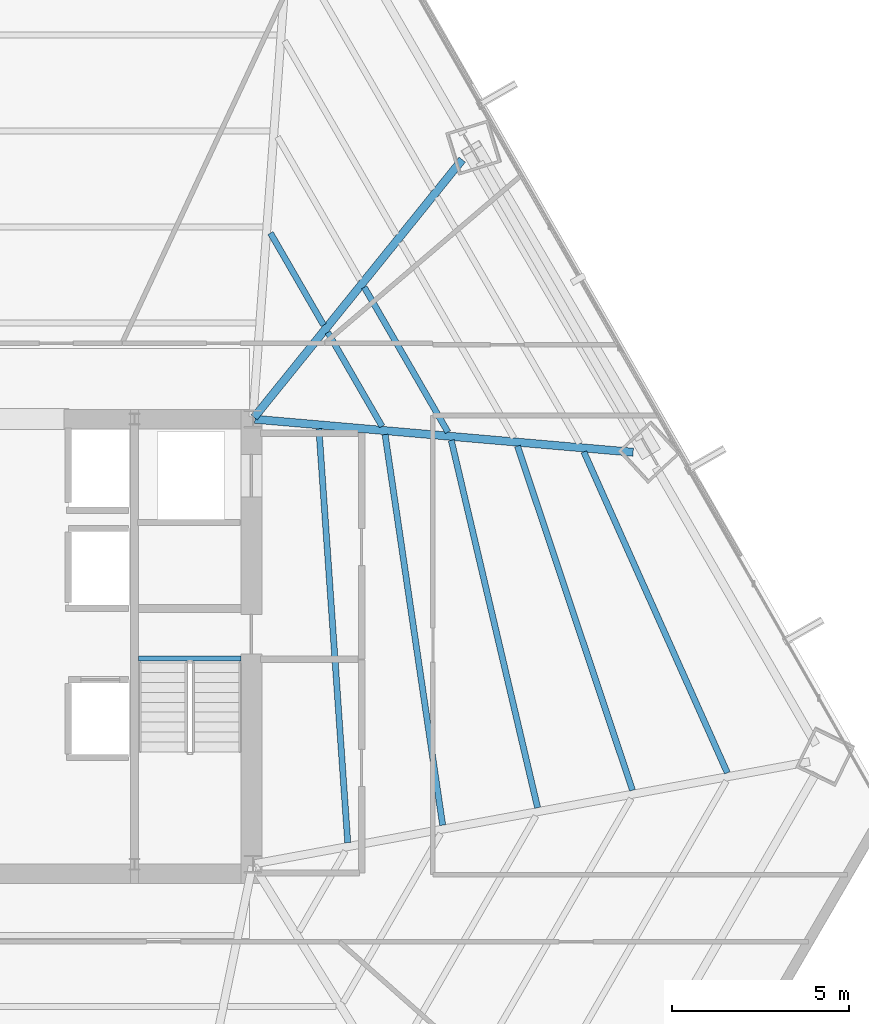
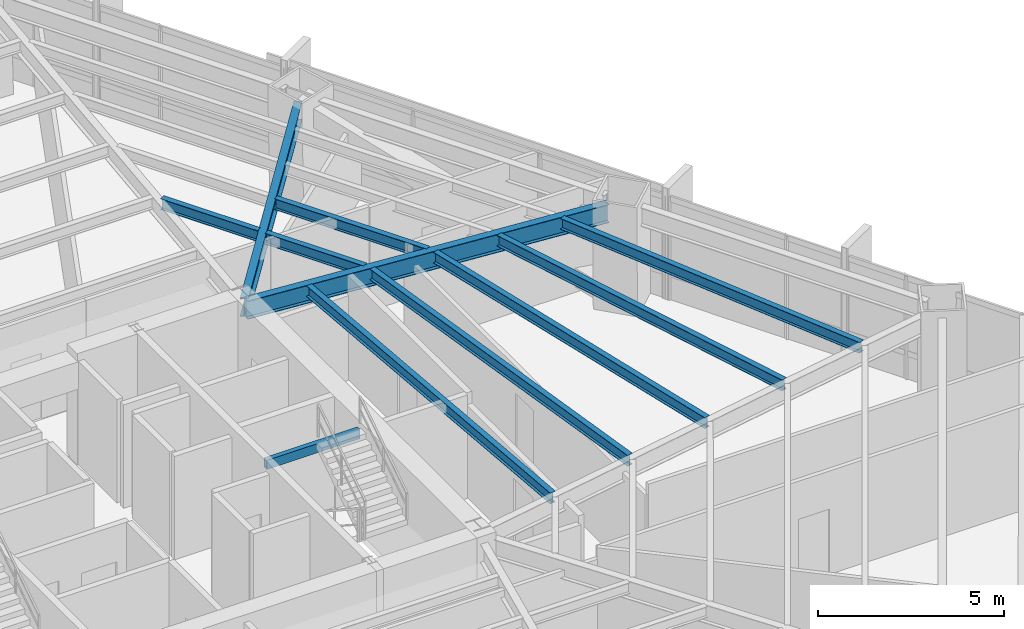
# One storey, part 20 of 34: 11 beams.
"""IFC4 building model written with IfcOpenShell, lengths in metres."""

import ifcopenshell
import ifcopenshell.guid

model = None  # the IFC model being written
_history = None  # IfcOwnerHistory: only IFC2X3 demands one
_inside = {}  # id of a spatial element -> (the spatial element, [elements in it])
_under = {}  # id of a project, library or spatial element -> (it, [spatial elements below it])
_declared = {}  # id of a project -> (the project, [libraries it declares])
_typed = {}  # id of a type object -> (the type object, [elements of that type])
_made_of = {}  # id of a material, layer set ... -> (it, [elements and type objects made of it])


def new_model(schema):
    """Start an empty IFC model of exactly this schema.

    Asked for "IFC4X3", IfcOpenShell would pick the latest addendum, in which some entities
    have other attributes; the version numbers below select the first issue.
    IFC2X3 requires an IfcOwnerHistory on every rooted entity: one is made here for all.
    """
    global model, _history
    if schema == "IFC4X3":
        model = ifcopenshell.file(schema_version=(4, 3, 0, 0))
    else:
        model = ifcopenshell.file(schema=schema)
    _inside.clear()
    _under.clear()
    _declared.clear()
    _typed.clear()
    _made_of.clear()
    _history = None
    if model.schema == "IFC2X3":
        org = make("IfcOrganization", Name="unknown")
        user = make(
            "IfcPersonAndOrganization",
            ThePerson=make("IfcPerson", FamilyName="unknown"),
            TheOrganization=org,
        )
        app = make(
            "IfcApplication",
            ApplicationDeveloper=org,
            Version="unknown",
            ApplicationFullName="unknown",
            ApplicationIdentifier="unknown",
        )
        _history = make(
            "IfcOwnerHistory",
            OwningUser=user,
            OwningApplication=app,
            ChangeAction="ADDED",
            CreationDate=0,
        )
    return model


def make(cls, **values):
    """One entity of the class cls with the attributes given. An attribute that is None is left unset."""
    return model.create_entity(
        cls, **{name: value for name, value in values.items() if value is not None}
    )


def rooted(cls, **values):
    """An entity with a GlobalId (a new one), such as an element, a storey or a relation."""
    return make(cls, GlobalId=ifcopenshell.guid.new(), OwnerHistory=_history, **values)


def si_unit(unit_type, name, prefix=None):
    """IfcSIUnit, for example si_unit("LENGTHUNIT", "METRE", prefix="MILLI")."""
    return make("IfcSIUnit", UnitType=unit_type, Prefix=prefix, Name=name)


def assignment(units):
    """IfcUnitAssignment: the units of a project."""
    return None if units is None else make("IfcUnitAssignment", Units=units)


def point(xyz):
    """IfcCartesianPoint."""
    return None if xyz is None else make("IfcCartesianPoint", Coordinates=xyz)


def direction(xyz):
    """IfcDirection."""
    return None if xyz is None else make("IfcDirection", DirectionRatios=xyz)


def frame(location, z_axis=None, x_axis=None):
    """IfcAxis2Placement3D, a coordinate frame: its origin and axes. An axis left out is left unset."""
    return make(
        "IfcAxis2Placement3D",
        Location=point(location),
        Axis=direction(z_axis),
        RefDirection=direction(x_axis),
    )


def frame_2d(location, x_axis=None):
    """IfcAxis2Placement2D, a coordinate frame in the plane: its origin and x axis."""
    return make(
        "IfcAxis2Placement2D", Location=point(location), RefDirection=direction(x_axis)
    )


def origin():
    """The frame at (0, 0, 0) with its axes left unset."""
    return frame((0.0, 0.0, 0.0))


def origin_2d():
    """The frame at (0, 0) in the plane with its x axis left unset."""
    return frame_2d((0.0, 0.0))


def place(relative_to, where):
    """IfcLocalPlacement: puts the frame where relative to a parent placement (None: the world)."""
    return make(
        "IfcLocalPlacement", PlacementRelTo=relative_to, RelativePlacement=where
    )


def context(
    kind, dimensions, precision=None, world=None, true_north=None, identifier=None
):
    """IfcGeometricRepresentationContext, for example the 3D "Model" context."""
    return make(
        "IfcGeometricRepresentationContext",
        ContextIdentifier=identifier,
        ContextType=kind,
        CoordinateSpaceDimension=dimensions,
        Precision=precision,
        WorldCoordinateSystem=world,
        TrueNorth=true_north,
    )


def subcontext(parent, identifier, kind, view, scale=None):
    """IfcGeometricRepresentationSubContext, for example "Body" below "Model"."""
    return make(
        "IfcGeometricRepresentationSubContext",
        ContextIdentifier=identifier,
        ContextType=kind,
        ParentContext=parent,
        TargetScale=scale,
        TargetView=view,
    )


def project(units=None, contexts=None):
    """IfcProject with its units and contexts."""
    return rooted(
        "IfcProject",
        Name="project",
        RepresentationContexts=contexts,
        UnitsInContext=assignment(units),
    )


def spatial(cls, under=None, at=None, **own):
    """A site, building, storey or space (cls), placed at a placement, below another one or the project."""
    s = rooted(cls, ObjectPlacement=at, **own)
    if under is not None:
        _under.setdefault(under.id(), (under, []))[1].append(s)
    return s


def profile(cls, at=None, kind="AREA", **sizes):
    """A parametric profile (cls). Its sizes go by their IFC names, for example OverallWidth=200.0."""
    return make(cls, ProfileType=kind, Position=at, **sizes)


def hollow_rectangle(**sizes):
    """IfcRectangleHollowProfileDef."""
    return profile("IfcRectangleHollowProfileDef", **sizes)


def i_section(**sizes):
    """IfcIShapeProfileDef."""
    return profile("IfcIShapeProfileDef", **sizes)


def extrude(swept, where, along, depth):
    """IfcExtrudedAreaSolid: the profile swept, set in the frame where, extruded along a direction by depth."""
    return make(
        "IfcExtrudedAreaSolid",
        SweptArea=swept,
        Position=where,
        ExtrudedDirection=direction(along),
        Depth=depth,
    )


def shape(context_of_items, identifier, shape_type, items):
    """IfcShapeRepresentation: the items that make up one representation, for example the "Body"."""
    return make(
        "IfcShapeRepresentation",
        ContextOfItems=context_of_items,
        RepresentationIdentifier=identifier,
        RepresentationType=shape_type,
        Items=items,
    )


def source(mapping_origin, context_of_items, identifier, shape_type, items):
    """IfcRepresentationMap: a shape defined once, which mapped items show again and again."""
    return make(
        "IfcRepresentationMap",
        MappingOrigin=mapping_origin,
        MappedRepresentation=shape(context_of_items, identifier, shape_type, items),
    )


def transform(
    local_origin,
    x_axis=None,
    y_axis=None,
    z_axis=None,
    scale=None,
    scale2=None,
    scale3=None,
    uniform=True,
):
    """IfcCartesianTransformationOperator3D, or its non-uniform kind. x_axis, y_axis, z_axis: its Axis1, 2, 3."""
    if uniform:
        return make(
            "IfcCartesianTransformationOperator3D",
            Axis1=direction(x_axis),
            Axis2=direction(y_axis),
            LocalOrigin=point(local_origin),
            Scale=scale,
            Axis3=direction(z_axis),
        )
    return make(
        "IfcCartesianTransformationOperator3DnonUniform",
        Axis1=direction(x_axis),
        Axis2=direction(y_axis),
        LocalOrigin=point(local_origin),
        Scale=scale,
        Axis3=direction(z_axis),
        Scale2=scale2,
        Scale3=scale3,
    )


def mapped(mapping_source, mapping_target):
    """IfcMappedItem: shows the shape of a source again, moved by a transform."""
    return make(
        "IfcMappedItem", MappingSource=mapping_source, MappingTarget=mapping_target
    )


def material(Name=None, Category=None):
    """IfcMaterial."""
    return make("IfcMaterial", Name=Name, Category=Category)


def material_profile(
    of_material, cross_section, Name=None, Category=None, Priority=None
):
    """IfcMaterialProfile: a cross section and its material."""
    return make(
        "IfcMaterialProfile",
        Name=Name,
        Material=of_material,
        Profile=cross_section,
        Priority=Priority,
        Category=Category,
    )


def profile_set(profiles, Name=None, composite=None):
    """IfcMaterialProfileSet."""
    return make(
        "IfcMaterialProfileSet",
        Name=Name,
        MaterialProfiles=profiles,
        CompositeProfile=composite,
    )


def made_of(thing, what):
    """Note that an element or type object is made of a material, layer set ...; save() writes the relation."""
    if what is not None:
        _made_of.setdefault(what.id(), (what, []))[1].append(thing)
    return thing


def type_object(cls, material=None, **own):
    """A type object (cls), such as IfcWallType, which elements share."""
    return made_of(rooted(cls, **own), material)


def type_shapes(of_type, sources):
    """Give a type object the sources (RepresentationMaps) that its elements show as mapped items."""
    of_type.RepresentationMaps = sources


def element(
    cls,
    number,
    at=None,
    inside=None,
    cuts=None,
    type_object=None,
    material=None,
    context=None,
    identifier="Body",
    shape_type=None,
    held_by="IfcProductDefinitionShape",
    body=None,
    shapes=None,
    **own,
):
    """One element of the class cls, such as IfcWall. Its Tag is "e" and its number.

    at: its placement. inside: the storey or other place that contains it. cuts: it is an
    opening in that element (IfcRelVoidsElement). A single representation is given by context,
    identifier, shape_type and body (its items); several are given by shapes. held_by: the class
    of the entity that holds the representations. save() writes the other relations.
    """
    e = rooted(cls, Tag="e%d" % number, ObjectPlacement=at, **own)
    if body is not None:
        shapes = [shape(context, identifier, shape_type, body)]
    if shapes is not None:
        e.Representation = make(held_by, Representations=shapes)
    if inside is not None:
        _inside.setdefault(inside.id(), (inside, []))[1].append(e)
    if cuts is not None:
        rooted(
            "IfcRelVoidsElement", RelatingBuildingElement=cuts, RelatedOpeningElement=e
        )
    if type_object is not None:
        _typed.setdefault(type_object.id(), (type_object, []))[1].append(e)
    return made_of(e, material)


def aggregate(whole, parts):
    """IfcRelAggregates: a whole, such as a stair, and the parts it consists of."""
    return rooted("IfcRelAggregates", RelatingObject=whole, RelatedObjects=parts)


def save(model, path):
    """Write the relations noted so far, then the file.

    IfcRelAggregates (storeys below a building ...), IfcRelContainedInSpatialStructure (elements
    in a storey), IfcRelDefinesByType, IfcRelAssociatesMaterial and IfcRelDeclares: one each for
    every whole, place, type object, material and project.
    """
    for whole, parts in _under.values():
        aggregate(whole, parts)
    for where, things in _inside.values():
        rooted(
            "IfcRelContainedInSpatialStructure",
            RelatedElements=things,
            RelatingStructure=where,
        )
    for kind, things in _typed.values():
        rooted("IfcRelDefinesByType", RelatedObjects=things, RelatingType=kind)
    for what, things in _made_of.values():
        rooted("IfcRelAssociatesMaterial", RelatedObjects=things, RelatingMaterial=what)
    for by, libraries in _declared.values():
        rooted("IfcRelDeclares", RelatingContext=by, RelatedDefinitions=libraries)
    model.write(path)


model = new_model("IFC4")

# Units and contexts
model_context = context("Model", 3, precision=1e-05, world=origin(), true_north=direction((0.0, 1.0)))
body_context = subcontext(model_context, "Body", "Model", "MODEL_VIEW")
ifc_project = project(units=[si_unit("LENGTHUNIT", "METRE"), si_unit("AREAUNIT", "SQUARE_METRE"), si_unit("VOLUMEUNIT", "CUBIC_METRE"), si_unit("PLANEANGLEUNIT", "RADIAN"), si_unit("MASSUNIT", "GRAM", prefix="KILO")], contexts=[model_context])

# Site, building, storey
site_placement = place(None, origin())
site = spatial("IfcSite", under=ifc_project, at=site_placement, CompositionType="ELEMENT")
building_placement = place(site_placement, origin())
building = spatial("IfcBuilding", under=site, at=building_placement, Name="Caelisora Broadcast Tower", CompositionType="ELEMENT")
storey_placement = place(building_placement, frame((0.0, 0.0, 49.5)))
storey = spatial("IfcBuildingStorey", under=building, at=storey_placement, Name="L12", CompositionType="ELEMENT", Elevation=49.5)

# Beams
ifc_material_1 = material(Name="Steel Grade 350 (AS/NZS 1163 C350L0)", Category="steel")
ifc_material_profile_1 = material_profile(ifc_material_1, hollow_rectangle(XDim=0.14990234375, YDim=0.300048828125, WallThickness=0.010009765625, at=origin_2d()), Name="Steel Grade 350 (AS/NZS 1163 C350L0)")
ifc_profile_set_1 = profile_set([ifc_material_profile_1], Name="Steel Grade 350 (AS/NZS 1163 C350L0)")
beam_type_1 = type_object("IfcBeamType", Name="SB05", PredefinedType="JOIST", material=ifc_profile_set_1)
shared_shape_1 = source(origin(), body_context, "Body", "SweptSolid", [
    extrude(hollow_rectangle(XDim=0.14990234375, YDim=0.300048828125, WallThickness=0.010009765625, at=origin_2d()), origin(), (0.0, 0.0, 1.0), 2.89990234375),
])
type_shapes(beam_type_1, [shared_shape_1])
beam_1_placement = place(storey_placement, frame((42.260009765625, 23.219970703125, 3.25), z_axis=(1.0, 0.0, 0.0), x_axis=(0.0, 1.0, 0.0)))
element("IfcBeam", 1, at=beam_1_placement, inside=storey, type_object=beam_type_1, Name="L12 beam SB05", PredefinedType="JOIST", context=body_context, shape_type="MappedRepresentation", body=[
    mapped(shared_shape_1, transform((0.0, 0.0, 0.0), scale=1.0)),
])
ifc_material_2 = material(Name="Steel Grade 350 (AS/NZS 3679.1)", Category="steel")
ifc_material_profile_2 = material_profile(ifc_material_2, i_section(OverallWidth=0.22802734375, OverallDepth=0.602294921875, WebThickness=0.010498046875, FlangeThickness=0.014892578125, at=origin_2d()), Name="Steel Grade 350 (AS/NZS 3679.1)")
ifc_profile_set_2 = profile_set([ifc_material_profile_2], Name="Steel Grade 350 (AS/NZS 3679.1)")
beam_type_2 = type_object("IfcBeamType", Name="PG04", PredefinedType="BEAM", material=ifc_profile_set_2)
shared_shape_2 = source(origin(), body_context, "Body", "SweptSolid", [
    extrude(i_section(OverallWidth=0.22802734375, OverallDepth=0.602294921875, WebThickness=0.010498046875, FlangeThickness=0.014892578125, at=origin_2d()), origin(), (0.0, 0.0, 1.0), 9.378662109375),
])
beam_2_placement = place(storey_placement, frame((45.53759765625, 30.046630859375, 3.098876953125), z_axis=(0.628221973632, 0.778034158534, 0.0), x_axis=(-0.778034158534, 0.628221973632, 0.0)))
element("IfcBeam", 2, at=beam_2_placement, inside=storey, type_object=beam_type_2, Name="L12 beam PG04", PredefinedType="BEAM", context=body_context, shape_type="MappedRepresentation", body=[
    mapped(shared_shape_2, transform((0.0, 0.0, 0.0), scale=1.0)),
])
shared_shape_3 = source(origin(), body_context, "Body", "SweptSolid", [
    extrude(i_section(OverallWidth=0.22802734375, OverallDepth=0.602294921875, WebThickness=0.010498046875, FlangeThickness=0.014892578125, at=origin_2d()), origin(), (0.0, 0.0, 1.0), 10.748046875),
])
type_shapes(beam_type_2, [shared_shape_2, shared_shape_3])
beam_3_placement = place(storey_placement, frame((45.559814453125, 29.994873046875, 3.098876953125), z_axis=(0.996210440362, -0.086975620224, 0.0), x_axis=(0.086975620224, 0.996210440362, 0.0)))
element("IfcBeam", 3, at=beam_3_placement, inside=storey, type_object=beam_type_2, Name="L12 beam PG04", PredefinedType="BEAM", context=body_context, shape_type="MappedRepresentation", body=[
    mapped(shared_shape_3, transform((0.0, 0.0, 0.0), scale=1.0)),
])
ifc_material_profile_3 = material_profile(ifc_material_2, i_section(OverallWidth=0.172119140625, OverallDepth=0.358642578125, WebThickness=0.008056640625, FlangeThickness=0.012939453125, at=origin_2d()), Name="Steel Grade 350 (AS/NZS 3679.1)")
ifc_profile_set_3 = profile_set([ifc_material_profile_3], Name="Steel Grade 350 (AS/NZS 3679.1)")
beam_type_3 = type_object("IfcBeamType", Name="SB02", PredefinedType="JOIST", material=ifc_profile_set_3)
shared_shape_4 = source(origin(), body_context, "Body", "SweptSolid", [
    extrude(i_section(OverallWidth=0.172119140625, OverallDepth=0.358642578125, WebThickness=0.008056640625, FlangeThickness=0.012939453125, at=origin_2d()), origin(), (0.0, 0.0, 1.0), 3.00927734375),
])
beam_4_placement = place(storey_placement, frame((47.5048828125, 32.659912109375, 3.220703125), z_axis=(-0.499986971506, 0.866032925658, 0.0), x_axis=(-0.866032925658, -0.499986971506, 0.0)))
element("IfcBeam", 4, at=beam_4_placement, inside=storey, type_object=beam_type_3, Name="L12 beam SB02", PredefinedType="JOIST", context=body_context, shape_type="MappedRepresentation", body=[
    mapped(shared_shape_4, transform((0.0, 0.0, 0.0), scale=1.0)),
])
shared_shape_5 = source(origin(), body_context, "Body", "SweptSolid", [
    extrude(i_section(OverallWidth=0.172119140625, OverallDepth=0.358642578125, WebThickness=0.008056640625, FlangeThickness=0.012939453125, at=origin_2d()), origin(), (0.0, 0.0, 1.0), 3.07275390625),
])
beam_5_placement = place(storey_placement, frame((49.160400390625, 29.79248046875, 3.220703125), z_axis=(-0.499992972383, 0.866029461143, 0.0), x_axis=(-0.866029461143, -0.499992972383, 0.0)))
element("IfcBeam", 5, at=beam_5_placement, inside=storey, type_object=beam_type_3, Name="L12 beam SB02", PredefinedType="JOIST", context=body_context, shape_type="MappedRepresentation", body=[
    mapped(shared_shape_5, transform((0.0, 0.0, 0.0), scale=1.0)),
])
shared_shape_6 = source(origin(), body_context, "Body", "SweptSolid", [
    extrude(i_section(OverallWidth=0.172119140625, OverallDepth=0.358642578125, WebThickness=0.008056640625, FlangeThickness=0.012939453125, at=origin_2d()), origin(), (0.0, 0.0, 1.0), 4.73681640625),
])
beam_6_placement = place(storey_placement, frame((51.024658203125, 29.629638671875, 3.220703125), z_axis=(-0.499991628305, 0.866030237131, 0.0), x_axis=(-0.866030237131, -0.499991628305, 0.0)))
element("IfcBeam", 6, at=beam_6_placement, inside=storey, type_object=beam_type_3, Name="L12 beam SB02", PredefinedType="JOIST", context=body_context, shape_type="MappedRepresentation", body=[
    mapped(shared_shape_6, transform((0.0, 0.0, 0.0), scale=1.0)),
])
shared_shape_7 = source(origin(), body_context, "Body", "SweptSolid", [
    extrude(i_section(OverallWidth=0.172119140625, OverallDepth=0.358642578125, WebThickness=0.008056640625, FlangeThickness=0.012939453125, at=origin_2d()), origin(), (0.0, 0.0, 1.0), 11.745849609375),
])
beam_7_placement = place(storey_placement, frame((48.1884765625, 18.007568359375, 3.220703125), z_axis=(-0.069505423115, 0.997581573686, 0.0), x_axis=(-0.997581573686, -0.069505423115, 0.0)))
element("IfcBeam", 7, at=beam_7_placement, inside=storey, type_object=beam_type_3, Name="L12 beam SB02", PredefinedType="JOIST", context=body_context, shape_type="MappedRepresentation", body=[
    mapped(shared_shape_7, transform((0.0, 0.0, 0.0), scale=1.0)),
])
shared_shape_8 = source(origin(), body_context, "Body", "SweptSolid", [
    extrude(i_section(OverallWidth=0.172119140625, OverallDepth=0.358642578125, WebThickness=0.008056640625, FlangeThickness=0.012939453125, at=origin_2d()), origin(), (0.0, 0.0, 1.0), 11.178955078125),
])
beam_8_placement = place(storey_placement, frame((50.876220703125, 18.502197265625, 3.220703125), z_axis=(-0.145908314053, 0.989298116793, 0.0), x_axis=(-0.989298116793, -0.145908314053, 0.0)))
element("IfcBeam", 8, at=beam_8_placement, inside=storey, type_object=beam_type_3, Name="L12 beam SB02", PredefinedType="JOIST", context=body_context, shape_type="MappedRepresentation", body=[
    mapped(shared_shape_8, transform((0.0, 0.0, 0.0), scale=1.0)),
])
shared_shape_9 = source(origin(), body_context, "Body", "SweptSolid", [
    extrude(i_section(OverallWidth=0.172119140625, OverallDepth=0.358642578125, WebThickness=0.008056640625, FlangeThickness=0.012939453125, at=origin_2d()), origin(), (0.0, 0.0, 1.0), 10.6845703125),
])
beam_9_placement = place(storey_placement, frame((53.5634765625, 18.99658203125, 3.220703125), z_axis=(-0.228747672233, 0.973485748457, 0.0), x_axis=(-0.973485748457, -0.228747672233, 0.0)))
element("IfcBeam", 9, at=beam_9_placement, inside=storey, type_object=beam_type_3, Name="L12 beam SB02", PredefinedType="JOIST", context=body_context, shape_type="MappedRepresentation", body=[
    mapped(shared_shape_9, transform((0.0, 0.0, 0.0), scale=1.0)),
])
shared_shape_10 = source(origin(), body_context, "Body", "SweptSolid", [
    extrude(i_section(OverallWidth=0.172119140625, OverallDepth=0.358642578125, WebThickness=0.008056640625, FlangeThickness=0.012939453125, at=origin_2d()), origin(), (0.0, 0.0, 1.0), 10.27197265625),
])
beam_10_placement = place(storey_placement, frame((56.24951171875, 19.490966796875, 3.220703125), z_axis=(-0.316798130876, 0.948492985885, 0.0), x_axis=(-0.948492985885, -0.316798130876, 0.0)))
element("IfcBeam", 10, at=beam_10_placement, inside=storey, type_object=beam_type_3, Name="L12 beam SB02", PredefinedType="JOIST", context=body_context, shape_type="MappedRepresentation", body=[
    mapped(shared_shape_10, transform((0.0, 0.0, 0.0), scale=1.0)),
])
shared_shape_11 = source(origin(), body_context, "Body", "SweptSolid", [
    extrude(i_section(OverallWidth=0.172119140625, OverallDepth=0.358642578125, WebThickness=0.008056640625, FlangeThickness=0.012939453125, at=origin_2d()), origin(), (0.0, 0.0, 1.0), 9.951416015625),
])
type_shapes(beam_type_3, [shared_shape_4, shared_shape_5, shared_shape_6, shared_shape_7, shared_shape_8, shared_shape_9, shared_shape_10, shared_shape_11])
beam_11_placement = place(storey_placement, frame((58.934814453125, 19.985107421875, 3.220703125), z_axis=(-0.408131503441, 0.912923148956, 0.0), x_axis=(-0.912923148956, -0.408131503441, 0.0)))
element("IfcBeam", 11, at=beam_11_placement, inside=storey, type_object=beam_type_3, Name="L12 beam SB02", PredefinedType="JOIST", context=body_context, shape_type="MappedRepresentation", body=[
    mapped(shared_shape_11, transform((0.0, 0.0, 0.0), scale=1.0)),
])

save(model, "model.ifc")
